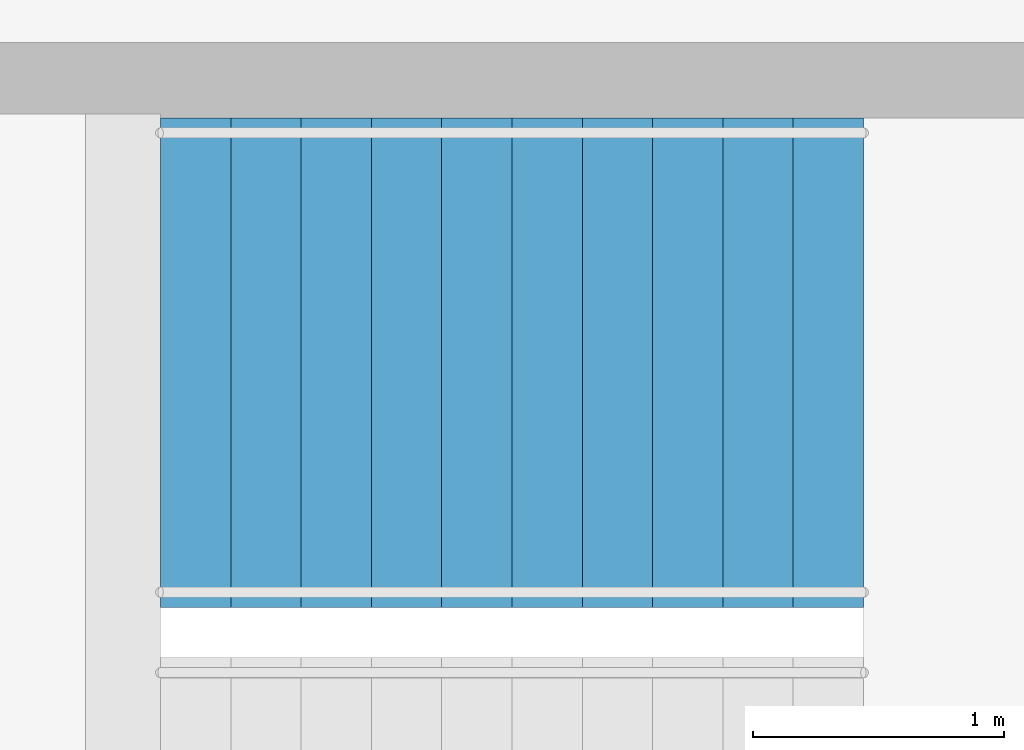
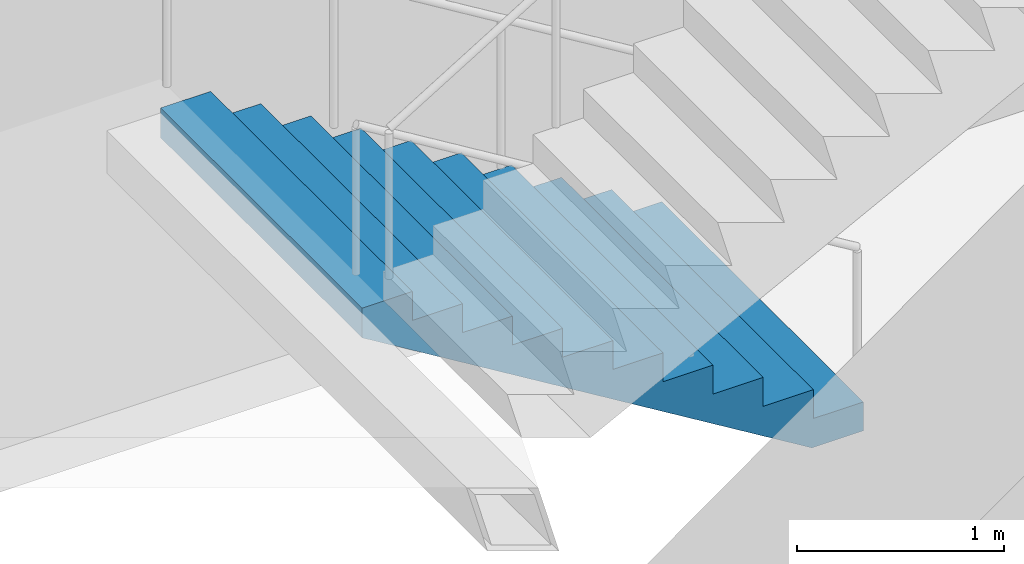
# One storey, part 22 of 23: 1 stair flight, 1 element without a shape of its own.
"""IFC4 building model written with IfcOpenShell, lengths in metres."""

from ifc_helpers import new_model, si_unit, direction, frame, origin, place, context, subcontext, project, spatial, triangles, material, type_object, element, aggregate, save


model = new_model("IFC4")

# Units and contexts
model_context = context("Model", 3, precision=1e-05, world=origin(), true_north=direction((0.0, 1.0)))
body_context = subcontext(model_context, "Body", "Model", "MODEL_VIEW")
ifc_project = project(units=[si_unit("LENGTHUNIT", "METRE"), si_unit("AREAUNIT", "SQUARE_METRE"), si_unit("VOLUMEUNIT", "CUBIC_METRE"), si_unit("PLANEANGLEUNIT", "RADIAN"), si_unit("MASSUNIT", "GRAM", prefix="KILO")], contexts=[model_context])

# Site, building, storey
site_placement = place(None, origin())
site = spatial("IfcSite", under=ifc_project, at=site_placement, CompositionType="ELEMENT")
building_placement = place(site_placement, origin())
building = spatial("IfcBuilding", under=site, at=building_placement, Name="Orbita Commons", CompositionType="ELEMENT")
storey_placement = place(building_placement, frame((0.0, 0.0, 227.800048828125)))
storey = spatial("IfcBuildingStorey", under=building, at=storey_placement, Name="L56", CompositionType="ELEMENT", Elevation=227.800048828125)

# Stair, stair flight
ifc_material_1 = material(Name="Precast concrete C40/50", Category="concrete")
stair_type = type_object("IfcStairType", Name="Exit stair S2 2 flights 11 risers 170", PredefinedType="HALF_TURN_STAIR", material=ifc_material_1)
stair_placement = place(storey_placement, origin())
stair = element("IfcStair", 1, at=stair_placement, inside=storey, type_object=stair_type, Name="Exit stair S2 L56", PredefinedType="HALF_TURN_STAIR")
ifc_material_2 = material(Name="Precast concrete C40/50", Category="concrete")
stair_flight_type = type_object("IfcStairFlightType", Name="Stair flight 11 risers 170 x 280", PredefinedType="STRAIGHT", material=ifc_material_2)
stair_flight_placement = place(storey_placement, frame((63.550048828125, 29.27490234375, 0.0), z_axis=(0.0, 0.0, 1.0), x_axis=(-1.0, 0.0, 0.0)))
stair_flight = element("IfcStairFlight", 2, at=stair_flight_placement, type_object=stair_flight_type, Name="S2 flight 1", NumberOfRisers=11, NumberOfTreads=10, PredefinedType="STRAIGHT", RiserHeight=0.170454545, TreadLength=0.28, context=body_context, shape_type="Tessellation", body=[
    triangles([(0.0, 0.974976, 0.0), (0.0, 0.974976, 0.021307), (0.0, 0.81248, 0.021307), (0.0, 0.81248, 0.0), (0.0, 0.649984, 0.021307), (0.0, 0.649984, 0.0), (0.0, 0.487488, 0.021307), (0.0, 0.487488, 0.0), (0.0, 0.324992, 0.021307), (0.0, 0.324992, 0.0), (0.0, 0.162496, 0.021307), (0.0, 0.162496, 0.0), (0.0, 0.0, 0.021307), (0.0, 0.0, 0.0), (0.0, -0.162496, 0.021307), (0.0, -0.162496, 0.0), (0.0, -0.324992, 0.021307), (0.0, -0.324992, 0.0), (0.0, -0.487488, 0.021307), (0.0, -0.487488, 0.0), (0.0, -0.649984, 0.021307), (0.0, -0.649984, 0.0), (0.0, -0.81248, 0.021307), (0.0, -0.81248, 0.0), (0.0, -0.974976, 0.021307), (0.0, -0.974976, 0.0), (0.0, 0.974976, 0.042614), (0.0, 0.81248, 0.042614), (0.0, 0.649984, 0.042614), (0.0, 0.487488, 0.042614), (0.0, 0.324992, 0.042614), (0.0, 0.162496, 0.042614), (0.0, 0.0, 0.042614), (0.0, -0.162496, 0.042614), (0.0, -0.324992, 0.042614), (0.0, -0.487488, 0.042614), (0.0, -0.649984, 0.042614), (0.0, -0.81248, 0.042614), (0.0, -0.974976, 0.042614), (0.0, 0.974976, 0.06392), (0.0, 0.81248, 0.06392), (0.0, 0.649984, 0.06392), (0.0, 0.487488, 0.06392), (0.0, 0.324992, 0.06392), (0.0, 0.162496, 0.06392), (0.0, 0.0, 0.06392), (0.0, -0.162496, 0.06392), (0.0, -0.324992, 0.06392), (0.0, -0.487488, 0.06392), (0.0, -0.649984, 0.06392), (0.0, -0.81248, 0.06392), (0.0, -0.974976, 0.06392), (0.0, 0.974976, 0.085227), (0.0, 0.81248, 0.085227), (0.0, 0.649984, 0.085227), (0.0, 0.487488, 0.085227), (0.0, 0.324992, 0.085227), (0.0, 0.162496, 0.085227), (0.0, 0.0, 0.085227), (0.0, -0.162496, 0.085227), (0.0, -0.324992, 0.085227), (0.0, -0.487488, 0.085227), (0.0, -0.649984, 0.085227), (0.0, -0.81248, 0.085227), (0.0, -0.974976, 0.085227), (0.0, 0.974976, 0.106534), (0.0, 0.81248, 0.106534), (0.0, 0.649984, 0.106534), (0.0, 0.487488, 0.106534), (0.0, 0.324992, 0.106534), (0.0, 0.162496, 0.106534), (0.0, 0.0, 0.106534), (0.0, -0.162496, 0.106534), (0.0, -0.324992, 0.106534), (0.0, -0.487488, 0.106534), (0.0, -0.649984, 0.106534), (0.0, -0.81248, 0.106534), (0.0, -0.974976, 0.106534), (0.0, 0.974976, 0.127841), (0.0, 0.81248, 0.127841), (0.0, 0.649984, 0.127841), (0.0, 0.487488, 0.127841), (0.0, 0.324992, 0.127841), (0.0, 0.162496, 0.127841), (0.0, 0.0, 0.127841), (0.0, -0.162496, 0.127841), (0.0, -0.324992, 0.127841), (0.0, -0.487488, 0.127841), (0.0, -0.649984, 0.127841), (0.0, -0.81248, 0.127841), (0.0, -0.974976, 0.127841), (0.0, 0.974976, 0.149148), (0.0, 0.81248, 0.149148), (0.0, 0.649984, 0.149148), (0.0, 0.487488, 0.149148), (0.0, 0.324992, 0.149148), (0.0, 0.162496, 0.149148), (0.0, 0.0, 0.149148), (0.0, -0.162496, 0.149148), (0.0, -0.324992, 0.149148), (0.0, -0.487488, 0.149148), (0.0, -0.649984, 0.149148), (0.0, -0.81248, 0.149148), (0.0, -0.974976, 0.149148), (0.0, 0.974976, 0.170455), (0.0, 0.81248, 0.170455), (0.0, 0.649984, 0.170455), (0.0, 0.487488, 0.170455), (0.0, 0.324992, 0.170455), (0.0, 0.162496, 0.170455), (0.0, 0.0, 0.170455), (0.0, -0.162496, 0.170455), (0.0, -0.324992, 0.170455), (0.0, -0.487488, 0.170455), (0.0, -0.649984, 0.170455), (0.0, -0.81248, 0.170455), (0.0, -0.974976, 0.170455), (0.28, 0.974976, 0.170455), (0.28, 0.81248, 0.170455), (0.28, 0.649984, 0.170455), (0.28, 0.487488, 0.170455), (0.28, 0.324992, 0.170455), (0.28, 0.162496, 0.170455), (0.28, 0.0, 0.170455), (0.28, -0.162496, 0.170455), (0.28, -0.324992, 0.170455), (0.28, -0.487488, 0.170455), (0.28, -0.649984, 0.170455), (0.28, -0.81248, 0.170455), (0.28, -0.974976, 0.170455), (0.28, 0.974976, 0.340909), (0.28, 0.81248, 0.340909), (0.28, 0.649984, 0.340909), (0.28, 0.487488, 0.340909), (0.28, 0.324992, 0.340909), (0.28, 0.162496, 0.340909), (0.28, 0.0, 0.340909), (0.28, -0.162496, 0.340909), (0.28, -0.324992, 0.340909), (0.28, -0.487488, 0.340909), (0.28, -0.649984, 0.340909), (0.28, -0.81248, 0.340909), (0.28, -0.974976, 0.340909), (0.56, 0.974976, 0.340909), (0.56, 0.81248, 0.340909), (0.56, 0.649984, 0.340909), (0.56, 0.487488, 0.340909), (0.56, 0.324992, 0.340909), (0.56, 0.162496, 0.340909), (0.56, 0.0, 0.340909), (0.56, -0.162496, 0.340909), (0.56, -0.324992, 0.340909), (0.56, -0.487488, 0.340909), (0.56, -0.649984, 0.340909), (0.56, -0.81248, 0.340909), (0.56, -0.974976, 0.340909), (0.56, 0.974976, 0.511364), (0.56, 0.81248, 0.511364), (0.56, 0.649984, 0.511364), (0.56, 0.487488, 0.511364), (0.56, 0.324992, 0.511364), (0.56, 0.162496, 0.511364), (0.56, 0.0, 0.511364), (0.56, -0.162496, 0.511364), (0.56, -0.324992, 0.511364), (0.56, -0.487488, 0.511364), (0.56, -0.649984, 0.511364), (0.56, -0.81248, 0.511364), (0.56, -0.974976, 0.511364), (0.84, 0.974976, 0.511364), (0.84, 0.81248, 0.511364), (0.84, 0.649984, 0.511364), (0.84, 0.487488, 0.511364), (0.84, 0.324992, 0.511364), (0.84, 0.162496, 0.511364), (0.84, 0.0, 0.511364), (0.84, -0.162496, 0.511364), (0.84, -0.324992, 0.511364), (0.84, -0.487488, 0.511364), (0.84, -0.649984, 0.511364), (0.84, -0.81248, 0.511364), (0.84, -0.974976, 0.511364), (0.84, 0.974976, 0.681818), (0.84, 0.81248, 0.681818), (0.84, 0.649984, 0.681818), (0.84, 0.487488, 0.681818), (0.84, 0.324992, 0.681818), (0.84, 0.162496, 0.681818), (0.84, 0.0, 0.681818), (0.84, -0.162496, 0.681818), (0.84, -0.324992, 0.681818), (0.84, -0.487488, 0.681818), (0.84, -0.649984, 0.681818), (0.84, -0.81248, 0.681818), (0.84, -0.974976, 0.681818), (1.12, 0.974976, 0.681818), (1.12, 0.81248, 0.681818), (1.12, 0.649984, 0.681818), (1.12, 0.487488, 0.681818), (1.12, 0.324992, 0.681818), (1.12, 0.162496, 0.681818), (1.12, 0.0, 0.681818), (1.12, -0.162496, 0.681818), (1.12, -0.324992, 0.681818), (1.12, -0.487488, 0.681818), (1.12, -0.649984, 0.681818), (1.12, -0.81248, 0.681818), (1.12, -0.974976, 0.681818), (1.12, 0.974976, 0.852273), (1.12, 0.81248, 0.852273), (1.12, 0.649984, 0.852273), (1.12, 0.487488, 0.852273), (1.12, 0.324992, 0.852273), (1.12, 0.162496, 0.852273), (1.12, 0.0, 0.852273), (1.12, -0.162496, 0.852273), (1.12, -0.324992, 0.852273), (1.12, -0.487488, 0.852273), (1.12, -0.649984, 0.852273), (1.12, -0.81248, 0.852273), (1.12, -0.974976, 0.852273), (1.4, 0.974976, 0.852273), (1.4, 0.81248, 0.852273), (1.4, 0.649984, 0.852273), (1.4, 0.487488, 0.852273), (1.4, 0.324992, 0.852273), (1.4, 0.162496, 0.852273), (1.4, 0.0, 0.852273), (1.4, -0.162496, 0.852273), (1.4, -0.324992, 0.852273), (1.4, -0.487488, 0.852273), (1.4, -0.649984, 0.852273), (1.4, -0.81248, 0.852273), (1.4, -0.974976, 0.852273), (1.4, 0.974976, 1.022727), (1.4, 0.81248, 1.022727), (1.4, 0.649984, 1.022727), (1.4, 0.487488, 1.022727), (1.4, 0.324992, 1.022727), (1.4, 0.162496, 1.022727), (1.4, 0.0, 1.022727), (1.4, -0.162496, 1.022727), (1.4, -0.324992, 1.022727), (1.4, -0.487488, 1.022727), (1.4, -0.649984, 1.022727), (1.4, -0.81248, 1.022727), (1.4, -0.974976, 1.022727), (1.68, 0.974976, 1.022727), (1.68, 0.81248, 1.022727), (1.68, 0.649984, 1.022727), (1.68, 0.487488, 1.022727), (1.68, 0.324992, 1.022727), (1.68, 0.162496, 1.022727), (1.68, 0.0, 1.022727), (1.68, -0.162496, 1.022727), (1.68, -0.324992, 1.022727), (1.68, -0.487488, 1.022727), (1.68, -0.649984, 1.022727), (1.68, -0.81248, 1.022727), (1.68, -0.974976, 1.022727), (1.68, 0.974976, 1.193182), (1.68, 0.81248, 1.193182), (1.68, 0.649984, 1.193182), (1.68, 0.487488, 1.193182), (1.68, 0.324992, 1.193182), (1.68, 0.162496, 1.193182), (1.68, 0.0, 1.193182), (1.68, -0.162496, 1.193182), (1.68, -0.324992, 1.193182), (1.68, -0.487488, 1.193182), (1.68, -0.649984, 1.193182), (1.68, -0.81248, 1.193182), (1.68, -0.974976, 1.193182), (1.96, 0.974976, 1.193182), (1.96, 0.81248, 1.193182), (1.96, 0.649984, 1.193182), (1.96, 0.487488, 1.193182), (1.96, 0.324992, 1.193182), (1.96, 0.162496, 1.193182), (1.96, 0.0, 1.193182), (1.96, -0.162496, 1.193182), (1.96, -0.324992, 1.193182), (1.96, -0.487488, 1.193182), (1.96, -0.649984, 1.193182), (1.96, -0.81248, 1.193182), (1.96, -0.974976, 1.193182), (1.96, 0.974976, 1.363636), (1.96, 0.81248, 1.363636), (1.96, 0.649984, 1.363636), (1.96, 0.487488, 1.363636), (1.96, 0.324992, 1.363636), (1.96, 0.162496, 1.363636), (1.96, 0.0, 1.363636), (1.96, -0.162496, 1.363636), (1.96, -0.324992, 1.363636), (1.96, -0.487488, 1.363636), (1.96, -0.649984, 1.363636), (1.96, -0.81248, 1.363636), (1.96, -0.974976, 1.363636), (2.24, 0.974976, 1.363636), (2.24, 0.81248, 1.363636), (2.24, 0.649984, 1.363636), (2.24, 0.487488, 1.363636), (2.24, 0.324992, 1.363636), (2.24, 0.162496, 1.363636), (2.24, 0.0, 1.363636), (2.24, -0.162496, 1.363636), (2.24, -0.324992, 1.363636), (2.24, -0.487488, 1.363636), (2.24, -0.649984, 1.363636), (2.24, -0.81248, 1.363636), (2.24, -0.974976, 1.363636), (2.24, 0.974976, 1.534091), (2.24, 0.81248, 1.534091), (2.24, 0.649984, 1.534091), (2.24, 0.487488, 1.534091), (2.24, 0.324992, 1.534091), (2.24, 0.162496, 1.534091), (2.24, 0.0, 1.534091), (2.24, -0.162496, 1.534091), (2.24, -0.324992, 1.534091), (2.24, -0.487488, 1.534091), (2.24, -0.649984, 1.534091), (2.24, -0.81248, 1.534091), (2.24, -0.974976, 1.534091), (2.52, 0.974976, 1.534091), (2.52, 0.81248, 1.534091), (2.52, 0.649984, 1.534091), (2.52, 0.487488, 1.534091), (2.52, 0.324992, 1.534091), (2.52, 0.162496, 1.534091), (2.52, 0.0, 1.534091), (2.52, -0.162496, 1.534091), (2.52, -0.324992, 1.534091), (2.52, -0.487488, 1.534091), (2.52, -0.649984, 1.534091), (2.52, -0.81248, 1.534091), (2.52, -0.974976, 1.534091), (2.52, 0.974976, 1.704545), (2.52, 0.81248, 1.704545), (2.52, 0.649984, 1.704545), (2.52, 0.487488, 1.704545), (2.52, 0.324992, 1.704545), (2.52, 0.162496, 1.704545), (2.52, 0.0, 1.704545), (2.52, -0.162496, 1.704545), (2.52, -0.324992, 1.704545), (2.52, -0.487488, 1.704545), (2.52, -0.649984, 1.704545), (2.52, -0.81248, 1.704545), (2.52, -0.974976, 1.704545), (2.8, 0.974976, 1.704545), (2.8, 0.81248, 1.704545), (2.8, 0.649984, 1.704545), (2.8, 0.487488, 1.704545), (2.8, 0.324992, 1.704545), (2.8, 0.162496, 1.704545), (2.8, 0.0, 1.704545), (2.8, -0.162496, 1.704545), (2.8, -0.324992, 1.704545), (2.8, -0.487488, 1.704545), (2.8, -0.649984, 1.704545), (2.8, -0.81248, 1.704545), (2.8, -0.974976, 1.704545), (2.8, 0.974976, 1.682609), (2.8, 0.81248, 1.682609), (2.8, 0.649984, 1.682609), (2.8, 0.487488, 1.682609), (2.8, 0.324992, 1.682609), (2.8, 0.162496, 1.682609), (2.8, 0.0, 1.682609), (2.8, -0.162496, 1.682609), (2.8, -0.324992, 1.682609), (2.8, -0.487488, 1.682609), (2.8, -0.649984, 1.682609), (2.8, -0.81248, 1.682609), (2.8, -0.974976, 1.682609), (2.8, 0.974976, 1.660672), (2.8, 0.81248, 1.660672), (2.8, 0.649984, 1.660672), (2.8, 0.487488, 1.660672), (2.8, 0.324992, 1.660672), (2.8, 0.162496, 1.660672), (2.8, 0.0, 1.660672), (2.8, -0.162496, 1.660672), (2.8, -0.324992, 1.660672), (2.8, -0.487488, 1.660672), (2.8, -0.649984, 1.660672), (2.8, -0.81248, 1.660672), (2.8, -0.974976, 1.660672), (2.8, 0.974976, 1.638735), (2.8, 0.81248, 1.638735), (2.8, 0.649984, 1.638735), (2.8, 0.487488, 1.638735), (2.8, 0.324992, 1.638735), (2.8, 0.162496, 1.638735), (2.8, 0.0, 1.638735), (2.8, -0.162496, 1.638735), (2.8, -0.324992, 1.638735), (2.8, -0.487488, 1.638735), (2.8, -0.649984, 1.638735), (2.8, -0.81248, 1.638735), (2.8, -0.974976, 1.638735), (2.8, 0.974976, 1.616798), (2.8, 0.81248, 1.616798), (2.8, 0.649984, 1.616798), (2.8, 0.487488, 1.616798), (2.8, 0.324992, 1.616798), (2.8, 0.162496, 1.616798), (2.8, 0.0, 1.616798), (2.8, -0.162496, 1.616798), (2.8, -0.324992, 1.616798), (2.8, -0.487488, 1.616798), (2.8, -0.649984, 1.616798), (2.8, -0.81248, 1.616798), (2.8, -0.974976, 1.616798), (2.8, 0.974976, 1.594861), (2.8, 0.81248, 1.594861), (2.8, 0.649984, 1.594861), (2.8, 0.487488, 1.594861), (2.8, 0.324992, 1.594861), (2.8, 0.162496, 1.594861), (2.8, 0.0, 1.594861), (2.8, -0.162496, 1.594861), (2.8, -0.324992, 1.594861), (2.8, -0.487488, 1.594861), (2.8, -0.649984, 1.594861), (2.8, -0.81248, 1.594861), (2.8, -0.974976, 1.594861), (2.8, 0.974976, 1.572925), (2.8, 0.81248, 1.572925), (2.8, 0.649984, 1.572925), (2.8, 0.487488, 1.572925), (2.8, 0.324992, 1.572925), (2.8, 0.162496, 1.572925), (2.8, 0.0, 1.572925), (2.8, -0.162496, 1.572925), (2.8, -0.324992, 1.572925), (2.8, -0.487488, 1.572925), (2.8, -0.649984, 1.572925), (2.8, -0.81248, 1.572925), (2.8, -0.974976, 1.572925), (2.8, 0.974976, 1.550988), (2.8, 0.81248, 1.550988), (2.8, 0.649984, 1.550988), (2.8, 0.487488, 1.550988), (2.8, 0.324992, 1.550988), (2.8, 0.162496, 1.550988), (2.8, 0.0, 1.550988), (2.8, -0.162496, 1.550988), (2.8, -0.324992, 1.550988), (2.8, -0.487488, 1.550988), (2.8, -0.649984, 1.550988), (2.8, -0.81248, 1.550988), (2.8, -0.974976, 1.550988), (2.8, 0.974976, 1.529051), (2.8, 0.81248, 1.529051), (2.8, 0.649984, 1.529051), (2.8, 0.487488, 1.529051), (2.8, 0.324992, 1.529051), (2.8, 0.162496, 1.529051), (2.8, 0.0, 1.529051), (2.8, -0.162496, 1.529051), (2.8, -0.324992, 1.529051), (2.8, -0.487488, 1.529051), (2.8, -0.649984, 1.529051), (2.8, -0.81248, 1.529051), (2.8, -0.974976, 1.529051), (0.288279, 0.974976, 0.0), (0.288279, 0.81248, 0.0), (0.288279, 0.649984, 0.0), (0.288279, 0.487488, 0.0), (0.288279, 0.324992, 0.0), (0.288279, 0.162496, 0.0), (0.288279, 0.0, 0.0), (0.288279, -0.162496, 0.0), (0.288279, -0.324992, 0.0), (0.288279, -0.487488, 0.0), (0.288279, -0.649984, 0.0), (0.288279, -0.81248, 0.0), (0.288279, -0.974976, 0.0)], [[3, 2, 1], [4, 3, 1], [5, 3, 4], [6, 5, 4], [7, 5, 6], [8, 7, 6], [9, 7, 8], [10, 9, 8], [11, 9, 10], [12, 11, 10], [13, 11, 12], [14, 13, 12], [15, 13, 14], [16, 15, 14], [17, 15, 16], [18, 17, 16], [19, 17, 18], [20, 19, 18], [21, 19, 20], [22, 21, 20], [23, 21, 22], [24, 23, 22], [25, 23, 24], [26, 25, 24], [28, 27, 2], [3, 28, 2], [29, 28, 3], [5, 29, 3], [30, 29, 5], [7, 30, 5], [31, 30, 7], [9, 31, 7], [32, 31, 9], [11, 32, 9], [33, 32, 11], [13, 33, 11], [34, 33, 13], [15, 34, 13], [35, 34, 15], [17, 35, 15], [36, 35, 17], [19, 36, 17], [37, 36, 19], [21, 37, 19], [38, 37, 21], [23, 38, 21], [39, 38, 23], [25, 39, 23], [41, 40, 27], [28, 41, 27], [42, 41, 28], [29, 42, 28], [43, 42, 29], [30, 43, 29], [44, 43, 30], [31, 44, 30], [45, 44, 31], [32, 45, 31], [46, 45, 32], [33, 46, 32], [47, 46, 33], [34, 47, 33], [48, 47, 34], [35, 48, 34], [49, 48, 35], [36, 49, 35], [50, 49, 36], [37, 50, 36], [51, 50, 37], [38, 51, 37], [52, 51, 38], [39, 52, 38], [54, 53, 40], [41, 54, 40], [55, 54, 41], [42, 55, 41], [56, 55, 42], [43, 56, 42], [57, 56, 43], [44, 57, 43], [58, 57, 44], [45, 58, 44], [59, 58, 45], [46, 59, 45], [60, 59, 46], [47, 60, 46], [61, 60, 47], [48, 61, 47], [62, 61, 48], [49, 62, 48], [63, 62, 49], [50, 63, 49], [64, 63, 50], [51, 64, 50], [65, 64, 51], [52, 65, 51], [67, 66, 53], [54, 67, 53], [68, 67, 54], [55, 68, 54], [69, 68, 55], [56, 69, 55], [70, 69, 56], [57, 70, 56], [71, 70, 57], [58, 71, 57], [72, 71, 58], [59, 72, 58], [73, 72, 59], [60, 73, 59], [74, 73, 60], [61, 74, 60], [75, 74, 61], [62, 75, 61], [76, 75, 62], [63, 76, 62], [77, 76, 63], [64, 77, 63], [78, 77, 64], [65, 78, 64], [80, 79, 66], [67, 80, 66], [81, 80, 67], [68, 81, 67], [82, 81, 68], [69, 82, 68], [83, 82, 69], [70, 83, 69], [84, 83, 70], [71, 84, 70], [85, 84, 71], [72, 85, 71], [86, 85, 72], [73, 86, 72], [87, 86, 73], [74, 87, 73], [88, 87, 74], [75, 88, 74], [89, 88, 75], [76, 89, 75], [90, 89, 76], [77, 90, 76], [91, 90, 77], [78, 91, 77], [93, 92, 79], [80, 93, 79], [94, 93, 80], [81, 94, 80], [95, 94, 81], [82, 95, 81], [96, 95, 82], [83, 96, 82], [97, 96, 83], [84, 97, 83], [98, 97, 84], [85, 98, 84], [99, 98, 85], [86, 99, 85], [100, 99, 86], [87, 100, 86], [101, 100, 87], [88, 101, 87], [102, 101, 88], [89, 102, 88], [103, 102, 89], [90, 103, 89], [104, 103, 90], [91, 104, 90], [106, 105, 92], [93, 106, 92], [107, 106, 93], [94, 107, 93], [108, 107, 94], [95, 108, 94], [109, 108, 95], [96, 109, 95], [110, 109, 96], [97, 110, 96], [111, 110, 97], [98, 111, 97], [112, 111, 98], [99, 112, 98], [113, 112, 99], [100, 113, 99], [114, 113, 100], [101, 114, 100], [115, 114, 101], [102, 115, 101], [116, 115, 102], [103, 116, 102], [117, 116, 103], [104, 117, 103], [119, 118, 105], [106, 119, 105], [120, 119, 106], [107, 120, 106], [121, 120, 107], [108, 121, 107], [122, 121, 108], [109, 122, 108], [123, 122, 109], [110, 123, 109], [124, 123, 110], [111, 124, 110], [125, 124, 111], [112, 125, 111], [126, 125, 112], [113, 126, 112], [127, 126, 113], [114, 127, 113], [128, 127, 114], [115, 128, 114], [129, 128, 115], [116, 129, 115], [130, 129, 116], [117, 130, 116], [132, 131, 118], [119, 132, 118], [133, 132, 119], [120, 133, 119], [134, 133, 120], [121, 134, 120], [135, 134, 121], [122, 135, 121], [136, 135, 122], [123, 136, 122], [137, 136, 123], [124, 137, 123], [138, 137, 124], [125, 138, 124], [139, 138, 125], [126, 139, 125], [140, 139, 126], [127, 140, 126], [141, 140, 127], [128, 141, 127], [142, 141, 128], [129, 142, 128], [143, 142, 129], [130, 143, 129], [145, 144, 131], [132, 145, 131], [146, 145, 132], [133, 146, 132], [147, 146, 133], [134, 147, 133], [148, 147, 134], [135, 148, 134], [149, 148, 135], [136, 149, 135], [150, 149, 136], [137, 150, 136], [151, 150, 137], [138, 151, 137], [152, 151, 138], [139, 152, 138], [153, 152, 139], [140, 153, 139], [154, 153, 140], [141, 154, 140], [155, 154, 141], [142, 155, 141], [156, 155, 142], [143, 156, 142], [158, 157, 144], [145, 158, 144], [159, 158, 145], [146, 159, 145], [160, 159, 146], [147, 160, 146], [161, 160, 147], [148, 161, 147], [162, 161, 148], [149, 162, 148], [163, 162, 149], [150, 163, 149], [164, 163, 150], [151, 164, 150], [165, 164, 151], [152, 165, 151], [166, 165, 152], [153, 166, 152], [167, 166, 153], [154, 167, 153], [168, 167, 154], [155, 168, 154], [169, 168, 155], [156, 169, 155], [171, 170, 157], [158, 171, 157], [172, 171, 158], [159, 172, 158], [173, 172, 159], [160, 173, 159], [174, 173, 160], [161, 174, 160], [175, 174, 161], [162, 175, 161], [176, 175, 162], [163, 176, 162], [177, 176, 163], [164, 177, 163], [178, 177, 164], [165, 178, 164], [179, 178, 165], [166, 179, 165], [180, 179, 166], [167, 180, 166], [181, 180, 167], [168, 181, 167], [182, 181, 168], [169, 182, 168], [184, 183, 170], [171, 184, 170], [185, 184, 171], [172, 185, 171], [186, 185, 172], [173, 186, 172], [187, 186, 173], [174, 187, 173], [188, 187, 174], [175, 188, 174], [189, 188, 175], [176, 189, 175], [190, 189, 176], [177, 190, 176], [191, 190, 177], [178, 191, 177], [192, 191, 178], [179, 192, 178], [193, 192, 179], [180, 193, 179], [194, 193, 180], [181, 194, 180], [195, 194, 181], [182, 195, 181], [197, 196, 183], [184, 197, 183], [198, 197, 184], [185, 198, 184], [199, 198, 185], [186, 199, 185], [200, 199, 186], [187, 200, 186], [201, 200, 187], [188, 201, 187], [202, 201, 188], [189, 202, 188], [203, 202, 189], [190, 203, 189], [204, 203, 190], [191, 204, 190], [205, 204, 191], [192, 205, 191], [206, 205, 192], [193, 206, 192], [207, 206, 193], [194, 207, 193], [208, 207, 194], [195, 208, 194], [210, 209, 196], [197, 210, 196], [211, 210, 197], [198, 211, 197], [212, 211, 198], [199, 212, 198], [213, 212, 199], [200, 213, 199], [214, 213, 200], [201, 214, 200], [215, 214, 201], [202, 215, 201], [216, 215, 202], [203, 216, 202], [217, 216, 203], [204, 217, 203], [218, 217, 204], [205, 218, 204], [219, 218, 205], [206, 219, 205], [220, 219, 206], [207, 220, 206], [221, 220, 207], [208, 221, 207], [223, 222, 209], [210, 223, 209], [224, 223, 210], [211, 224, 210], [225, 224, 211], [212, 225, 211], [226, 225, 212], [213, 226, 212], [227, 226, 213], [214, 227, 213], [228, 227, 214], [215, 228, 214], [229, 228, 215], [216, 229, 215], [230, 229, 216], [217, 230, 216], [231, 230, 217], [218, 231, 217], [232, 231, 218], [219, 232, 218], [233, 232, 219], [220, 233, 219], [234, 233, 220], [221, 234, 220], [236, 235, 222], [223, 236, 222], [237, 236, 223], [224, 237, 223], [238, 237, 224], [225, 238, 224], [239, 238, 225], [226, 239, 225], [240, 239, 226], [227, 240, 226], [241, 240, 227], [228, 241, 227], [242, 241, 228], [229, 242, 228], [243, 242, 229], [230, 243, 229], [244, 243, 230], [231, 244, 230], [245, 244, 231], [232, 245, 231], [246, 245, 232], [233, 246, 232], [247, 246, 233], [234, 247, 233], [249, 248, 235], [236, 249, 235], [250, 249, 236], [237, 250, 236], [251, 250, 237], [238, 251, 237], [252, 251, 238], [239, 252, 238], [253, 252, 239], [240, 253, 239], [254, 253, 240], [241, 254, 240], [255, 254, 241], [242, 255, 241], [256, 255, 242], [243, 256, 242], [257, 256, 243], [244, 257, 243], [258, 257, 244], [245, 258, 244], [259, 258, 245], [246, 259, 245], [260, 259, 246], [247, 260, 246], [262, 261, 248], [249, 262, 248], [263, 262, 249], [250, 263, 249], [264, 263, 250], [251, 264, 250], [265, 264, 251], [252, 265, 251], [266, 265, 252], [253, 266, 252], [267, 266, 253], [254, 267, 253], [268, 267, 254], [255, 268, 254], [269, 268, 255], [256, 269, 255], [270, 269, 256], [257, 270, 256], [271, 270, 257], [258, 271, 257], [272, 271, 258], [259, 272, 258], [273, 272, 259], [260, 273, 259], [275, 274, 261], [262, 275, 261], [276, 275, 262], [263, 276, 262], [277, 276, 263], [264, 277, 263], [278, 277, 264], [265, 278, 264], [279, 278, 265], [266, 279, 265], [280, 279, 266], [267, 280, 266], [281, 280, 267], [268, 281, 267], [282, 281, 268], [269, 282, 268], [283, 282, 269], [270, 283, 269], [284, 283, 270], [271, 284, 270], [285, 284, 271], [272, 285, 271], [286, 285, 272], [273, 286, 272], [288, 287, 274], [275, 288, 274], [289, 288, 275], [276, 289, 275], [290, 289, 276], [277, 290, 276], [291, 290, 277], [278, 291, 277], [292, 291, 278], [279, 292, 278], [293, 292, 279], [280, 293, 279], [294, 293, 280], [281, 294, 280], [295, 294, 281], [282, 295, 281], [296, 295, 282], [283, 296, 282], [297, 296, 283], [284, 297, 283], [298, 297, 284], [285, 298, 284], [299, 298, 285], [286, 299, 285], [301, 300, 287], [288, 301, 287], [302, 301, 288], [289, 302, 288], [303, 302, 289], [290, 303, 289], [304, 303, 290], [291, 304, 290], [305, 304, 291], [292, 305, 291], [306, 305, 292], [293, 306, 292], [307, 306, 293], [294, 307, 293], [308, 307, 294], [295, 308, 294], [309, 308, 295], [296, 309, 295], [310, 309, 296], [297, 310, 296], [311, 310, 297], [298, 311, 297], [312, 311, 298], [299, 312, 298], [314, 313, 300], [301, 314, 300], [315, 314, 301], [302, 315, 301], [316, 315, 302], [303, 316, 302], [317, 316, 303], [304, 317, 303], [318, 317, 304], [305, 318, 304], [319, 318, 305], [306, 319, 305], [320, 319, 306], [307, 320, 306], [321, 320, 307], [308, 321, 307], [322, 321, 308], [309, 322, 308], [323, 322, 309], [310, 323, 309], [324, 323, 310], [311, 324, 310], [325, 324, 311], [312, 325, 311], [327, 326, 313], [314, 327, 313], [328, 327, 314], [315, 328, 314], [329, 328, 315], [316, 329, 315], [330, 329, 316], [317, 330, 316], [331, 330, 317], [318, 331, 317], [332, 331, 318], [319, 332, 318], [333, 332, 319], [320, 333, 319], [334, 333, 320], [321, 334, 320], [335, 334, 321], [322, 335, 321], [336, 335, 322], [323, 336, 322], [337, 336, 323], [324, 337, 323], [338, 337, 324], [325, 338, 324], [340, 339, 326], [327, 340, 326], [341, 340, 327], [328, 341, 327], [342, 341, 328], [329, 342, 328], [343, 342, 329], [330, 343, 329], [344, 343, 330], [331, 344, 330], [345, 344, 331], [332, 345, 331], [346, 345, 332], [333, 346, 332], [347, 346, 333], [334, 347, 333], [348, 347, 334], [335, 348, 334], [349, 348, 335], [336, 349, 335], [350, 349, 336], [337, 350, 336], [351, 350, 337], [338, 351, 337], [353, 352, 339], [340, 353, 339], [354, 353, 340], [341, 354, 340], [355, 354, 341], [342, 355, 341], [356, 355, 342], [343, 356, 342], [357, 356, 343], [344, 357, 343], [358, 357, 344], [345, 358, 344], [359, 358, 345], [346, 359, 345], [360, 359, 346], [347, 360, 346], [361, 360, 347], [348, 361, 347], [362, 361, 348], [349, 362, 348], [363, 362, 349], [350, 363, 349], [364, 363, 350], [351, 364, 350], [366, 365, 352], [353, 366, 352], [367, 366, 353], [354, 367, 353], [368, 367, 354], [355, 368, 354], [369, 368, 355], [356, 369, 355], [370, 369, 356], [357, 370, 356], [371, 370, 357], [358, 371, 357], [372, 371, 358], [359, 372, 358], [373, 372, 359], [360, 373, 359], [374, 373, 360], [361, 374, 360], [375, 374, 361], [362, 375, 361], [376, 375, 362], [363, 376, 362], [377, 376, 363], [364, 377, 363], [379, 378, 365], [366, 379, 365], [380, 379, 366], [367, 380, 366], [381, 380, 367], [368, 381, 367], [382, 381, 368], [369, 382, 368], [383, 382, 369], [370, 383, 369], [384, 383, 370], [371, 384, 370], [385, 384, 371], [372, 385, 371], [386, 385, 372], [373, 386, 372], [387, 386, 373], [374, 387, 373], [388, 387, 374], [375, 388, 374], [389, 388, 375], [376, 389, 375], [390, 389, 376], [377, 390, 376], [392, 391, 378], [379, 392, 378], [393, 392, 379], [380, 393, 379], [394, 393, 380], [381, 394, 380], [395, 394, 381], [382, 395, 381], [396, 395, 382], [383, 396, 382], [397, 396, 383], [384, 397, 383], [398, 397, 384], [385, 398, 384], [399, 398, 385], [386, 399, 385], [400, 399, 386], [387, 400, 386], [401, 400, 387], [388, 401, 387], [402, 401, 388], [389, 402, 388], [403, 402, 389], [390, 403, 389], [405, 404, 391], [392, 405, 391], [406, 405, 392], [393, 406, 392], [407, 406, 393], [394, 407, 393], [408, 407, 394], [395, 408, 394], [409, 408, 395], [396, 409, 395], [410, 409, 396], [397, 410, 396], [411, 410, 397], [398, 411, 397], [412, 411, 398], [399, 412, 398], [413, 412, 399], [400, 413, 399], [414, 413, 400], [401, 414, 400], [415, 414, 401], [402, 415, 401], [416, 415, 402], [403, 416, 402], [418, 417, 404], [405, 418, 404], [419, 418, 405], [406, 419, 405], [420, 419, 406], [407, 420, 406], [421, 420, 407], [408, 421, 407], [422, 421, 408], [409, 422, 408], [423, 422, 409], [410, 423, 409], [424, 423, 410], [411, 424, 410], [425, 424, 411], [412, 425, 411], [426, 425, 412], [413, 426, 412], [427, 426, 413], [414, 427, 413], [428, 427, 414], [415, 428, 414], [429, 428, 415], [416, 429, 415], [431, 430, 417], [418, 431, 417], [432, 431, 418], [419, 432, 418], [433, 432, 419], [420, 433, 419], [434, 433, 420], [421, 434, 420], [435, 434, 421], [422, 435, 421], [436, 435, 422], [423, 436, 422], [437, 436, 423], [424, 437, 423], [438, 437, 424], [425, 438, 424], [439, 438, 425], [426, 439, 425], [440, 439, 426], [427, 440, 426], [441, 440, 427], [428, 441, 427], [442, 441, 428], [429, 442, 428], [444, 443, 430], [431, 444, 430], [445, 444, 431], [432, 445, 431], [446, 445, 432], [433, 446, 432], [447, 446, 433], [434, 447, 433], [448, 447, 434], [435, 448, 434], [449, 448, 435], [436, 449, 435], [450, 449, 436], [437, 450, 436], [451, 450, 437], [438, 451, 437], [452, 451, 438], [439, 452, 438], [453, 452, 439], [440, 453, 439], [454, 453, 440], [441, 454, 440], [455, 454, 441], [442, 455, 441], [457, 456, 443], [444, 457, 443], [458, 457, 444], [445, 458, 444], [459, 458, 445], [446, 459, 445], [460, 459, 446], [447, 460, 446], [461, 460, 447], [448, 461, 447], [462, 461, 448], [449, 462, 448], [463, 462, 449], [450, 463, 449], [464, 463, 450], [451, 464, 450], [465, 464, 451], [452, 465, 451], [466, 465, 452], [453, 466, 452], [467, 466, 453], [454, 467, 453], [468, 467, 454], [455, 468, 454], [470, 469, 456], [457, 470, 456], [471, 470, 457], [458, 471, 457], [472, 471, 458], [459, 472, 458], [473, 472, 459], [460, 473, 459], [474, 473, 460], [461, 474, 460], [475, 474, 461], [462, 475, 461], [476, 475, 462], [463, 476, 462], [477, 476, 463], [464, 477, 463], [478, 477, 464], [465, 478, 464], [479, 478, 465], [466, 479, 465], [480, 479, 466], [467, 480, 466], [481, 480, 467], [468, 481, 467], [4, 1, 469], [470, 4, 469], [6, 4, 470], [471, 6, 470], [8, 6, 471], [472, 8, 471], [10, 8, 472], [473, 10, 472], [12, 10, 473], [474, 12, 473], [14, 12, 474], [475, 14, 474], [16, 14, 475], [476, 16, 475], [18, 16, 476], [477, 18, 476], [20, 18, 477], [478, 20, 477], [22, 20, 478], [479, 22, 478], [24, 22, 479], [480, 24, 479], [26, 24, 480], [481, 26, 480], [456, 469, 1], [26, 481, 468], [443, 456, 1], [26, 468, 455], [430, 443, 1], [26, 455, 442], [417, 430, 1], [26, 442, 429], [404, 417, 1], [26, 429, 416], [391, 404, 1], [26, 416, 403], [378, 391, 1], [26, 403, 390], [365, 378, 1], [26, 390, 377], [339, 352, 365], [377, 364, 351], [326, 339, 365], [377, 351, 338], [300, 313, 326], [338, 325, 312], [300, 326, 365], [377, 338, 312], [274, 287, 300], [312, 299, 286], [274, 300, 365], [377, 312, 286], [248, 261, 274], [286, 273, 260], [248, 274, 365], [377, 286, 260], [222, 235, 248], [260, 247, 234], [222, 248, 365], [377, 260, 234], [196, 209, 222], [234, 221, 208], [196, 222, 365], [377, 234, 208], [170, 183, 196], [208, 195, 182], [170, 196, 365], [377, 208, 182], [144, 157, 170], [182, 169, 156], [144, 170, 365], [377, 182, 156], [118, 131, 144], [156, 143, 130], [118, 144, 365], [377, 156, 130], [118, 365, 1], [26, 377, 130], [92, 105, 118], [130, 117, 104], [79, 92, 118], [130, 104, 91], [66, 79, 118], [130, 91, 78], [53, 66, 118], [130, 78, 65], [40, 53, 118], [130, 65, 52], [27, 40, 118], [130, 52, 39], [2, 27, 118], [130, 39, 25], [1, 2, 118], [130, 25, 26]], closed=True),
])
aggregate(stair, [stair_flight])

save(model, "model.ifc")
